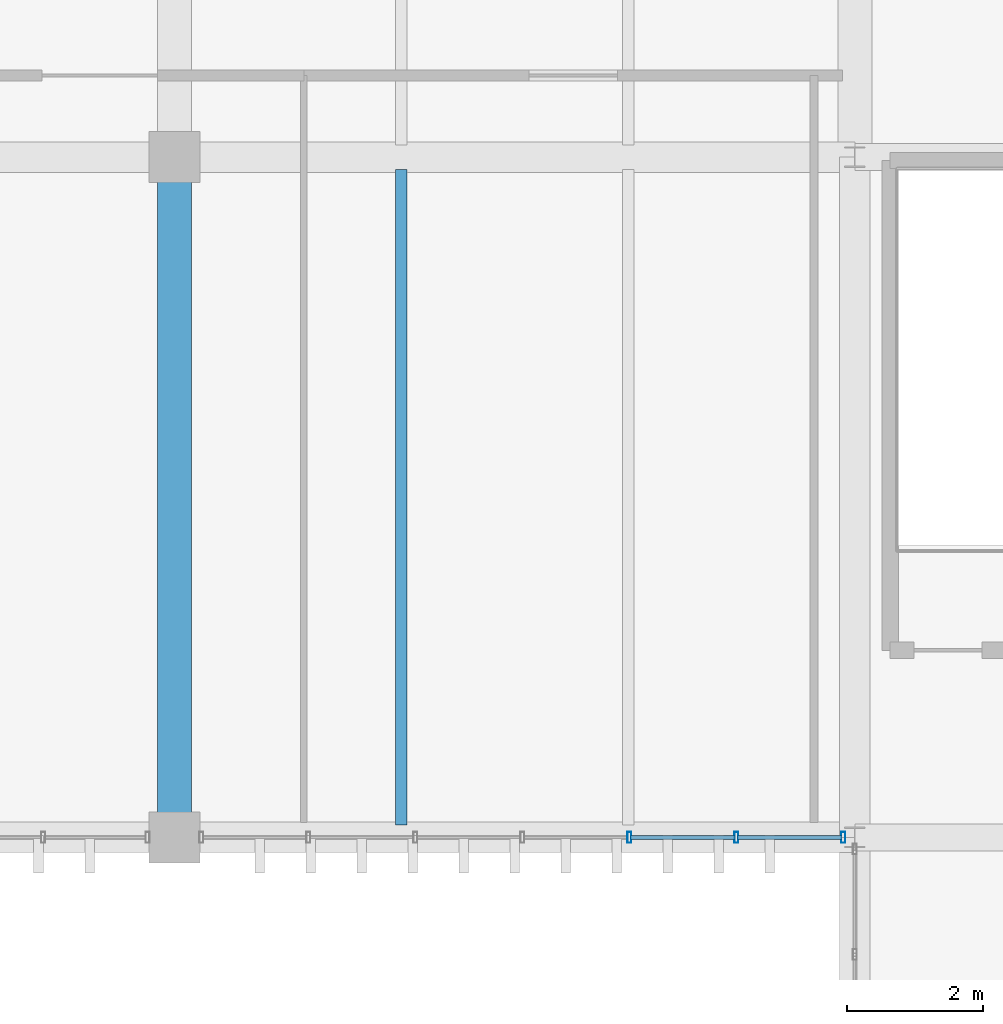
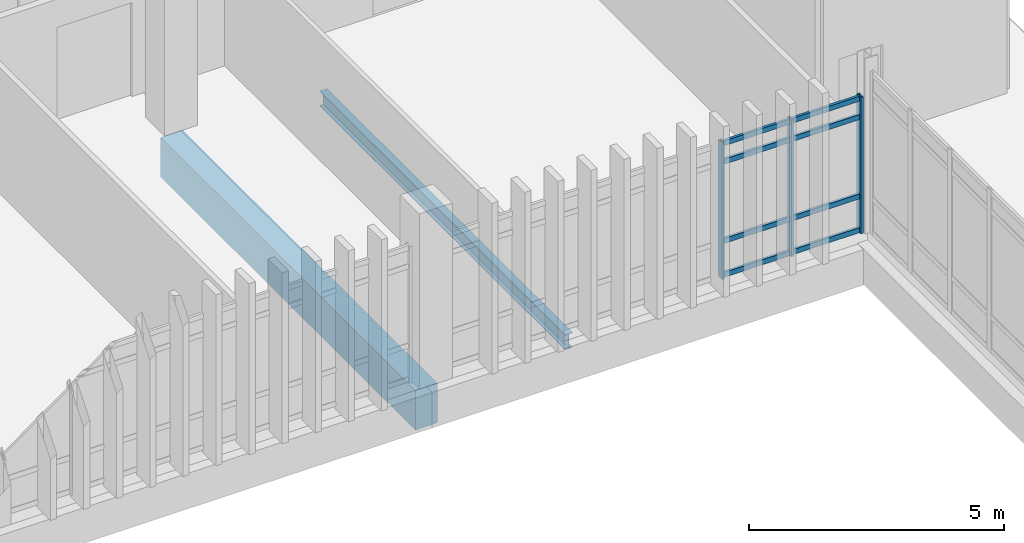
# One storey, part 88 of 161: 11 members, 2 beams, 1 element without a shape of its own.
"""IFC4 building model written with IfcOpenShell, lengths in metres."""

from ifc_helpers import new_model, si_unit, direction, frame, origin, origin_2d, place, context, subcontext, project, spatial, rectangle, hollow_rectangle, i_section, extrude, material, layer, layer_set, material_profile, profile_set, type_object, element, aggregate, save


model = new_model("IFC4")

# Units and contexts
model_context = context("Model", 3, precision=1e-05, world=origin(), true_north=direction((0.0, 1.0)))
body_context = subcontext(model_context, "Body", "Model", "MODEL_VIEW")
ifc_project = project(units=[si_unit("LENGTHUNIT", "METRE"), si_unit("AREAUNIT", "SQUARE_METRE"), si_unit("VOLUMEUNIT", "CUBIC_METRE"), si_unit("PLANEANGLEUNIT", "RADIAN"), si_unit("MASSUNIT", "GRAM", prefix="KILO")], contexts=[model_context])

# Site, building, storey
site_placement = place(None, origin())
site = spatial("IfcSite", under=ifc_project, at=site_placement, CompositionType="ELEMENT")
building_placement = place(site_placement, origin())
building = spatial("IfcBuilding", under=site, at=building_placement, Name="Mersad Railyard Sports Hall", CompositionType="ELEMENT")
storey_placement = place(building_placement, frame((0.0, 0.0, 4.800048828125)))
storey = spatial("IfcBuildingStorey", under=building, at=storey_placement, Name="L01", CompositionType="ELEMENT", Elevation=4.800048828125)

# Curtain wall, members
ifc_material_1 = material(Name="Aluminium 6063-T6", Category="aluminium")
ifc_layer = layer(ifc_material_1, 0.159912109375)
ifc_layer_set = layer_set([ifc_layer], Name="Aluminium 6063-T6")
curtain_wall_type = type_object("IfcCurtainWallType", Name="ARC-CW-CW39", PredefinedType="USERDEFINED", material=ifc_layer_set)
curtain_wall_placement = place(storey_placement, origin())
curtain_wall = element("IfcCurtainWall", 1, at=curtain_wall_placement, inside=storey, type_object=curtain_wall_type, Name="Curtain wall CW39-0111", ObjectType="CURTAIN WALL", PredefinedType="USERDEFINED")
ifc_material_profile_1 = material_profile(ifc_material_1, hollow_rectangle(XDim=0.06005859375, YDim=0.159912109375, WallThickness=0.00390625, at=origin_2d()), Name="AL MULLION 60x160x4")
ifc_profile_set_1 = profile_set([ifc_material_profile_1], Name="Aluminium 6063-T6")
member_type_1 = type_object("IfcMemberType", Name="ARC-CW-MUL01", PredefinedType="MULLION", material=ifc_profile_set_1)
member_1_placement = place(storey_placement, frame((130.830078125, 85.0, -0.02001953125), z_axis=(0.0, 0.0, 1.0), x_axis=(1.0, 0.0, 0.0)))
member_1 = element("IfcMember", 2, at=member_1_placement, type_object=member_type_1, Name="CW39 Mullion 1", PredefinedType="MULLION", context=body_context, shape_type="SweptSolid", body=[
    extrude(hollow_rectangle(XDim=0.06005859375, YDim=0.159912109375, WallThickness=0.00390625, at=origin_2d()), origin(), (0.0, 0.0, 1.0), 3.27001953125),
])
member_2_placement = place(storey_placement, frame((129.257568359375, 85.0, -0.02001953125), z_axis=(0.0, 0.0, 1.0), x_axis=(1.0, 0.0, 0.0)))
member_2 = element("IfcMember", 3, at=member_2_placement, type_object=member_type_1, Name="CW39 Mullion 2", PredefinedType="MULLION", context=body_context, shape_type="SweptSolid", body=[
    extrude(hollow_rectangle(XDim=0.06005859375, YDim=0.159912109375, WallThickness=0.00390625, at=origin_2d()), origin(), (0.0, 0.0, 1.0), 3.27001953125),
])
member_3_placement = place(storey_placement, frame((127.68505859375, 85.0, -0.02001953125), z_axis=(0.0, 0.0, 1.0), x_axis=(1.0, 0.0, 0.0)))
member_3 = element("IfcMember", 4, at=member_3_placement, type_object=member_type_1, Name="CW39 Mullion 3", PredefinedType="MULLION", context=body_context, shape_type="SweptSolid", body=[
    extrude(hollow_rectangle(XDim=0.06005859375, YDim=0.159912109375, WallThickness=0.00390625, at=origin_2d()), origin(), (0.0, 0.0, 1.0), 3.27001953125),
])
ifc_material_profile_2 = material_profile(ifc_material_1, hollow_rectangle(XDim=0.06005859375, YDim=0.1201171875, WallThickness=0.00390625, at=origin_2d()), Name="AL TRANSOM 60x120x4")
ifc_profile_set_2 = profile_set([ifc_material_profile_2], Name="Aluminium 6063-T6")
member_type_2 = type_object("IfcMemberType", Name="ARC-CW-TRN01", PredefinedType="USERDEFINED", material=ifc_profile_set_2)
member_4_placement = place(storey_placement, frame((130.81005859375, 85.0, 0.0400390625), z_axis=(-1.0, 0.0, 0.0), x_axis=(0.0, -1.0, 0.0)))
member_4 = element("IfcMember", 5, at=member_4_placement, type_object=member_type_2, Name="CW39 Transom 1-1", ObjectType="TRANSOM", PredefinedType="USERDEFINED", context=body_context, shape_type="SweptSolid", body=[
    extrude(hollow_rectangle(XDim=0.06005859375, YDim=0.1201171875, WallThickness=0.00390625, at=origin_2d()), origin(), (0.0, 0.0, 1.0), 1.532470703125),
])
member_5_placement = place(storey_placement, frame((129.237548828125, 85.0, 0.0400390625), z_axis=(-1.0, 0.0, 0.0), x_axis=(0.0, -1.0, 0.0)))
member_5 = element("IfcMember", 6, at=member_5_placement, type_object=member_type_2, Name="CW39 Transom 1-2", ObjectType="TRANSOM", PredefinedType="USERDEFINED", context=body_context, shape_type="SweptSolid", body=[
    extrude(hollow_rectangle(XDim=0.06005859375, YDim=0.1201171875, WallThickness=0.00390625, at=origin_2d()), origin(), (0.0, 0.0, 1.0), 1.532470703125),
])
member_6_placement = place(storey_placement, frame((130.81005859375, 85.0, 0.849853515625), z_axis=(-1.0, 0.0, 0.0), x_axis=(0.0, -1.0, 0.0)))
member_6 = element("IfcMember", 7, at=member_6_placement, type_object=member_type_2, Name="CW39 Transom 2-1", ObjectType="TRANSOM", PredefinedType="USERDEFINED", context=body_context, shape_type="SweptSolid", body=[
    extrude(hollow_rectangle(XDim=0.06005859375, YDim=0.1201171875, WallThickness=0.00390625, at=origin_2d()), origin(), (0.0, 0.0, 1.0), 1.532470703125),
])
member_7_placement = place(storey_placement, frame((129.237548828125, 85.0, 0.849853515625), z_axis=(-1.0, 0.0, 0.0), x_axis=(0.0, -1.0, 0.0)))
member_7 = element("IfcMember", 8, at=member_7_placement, type_object=member_type_2, Name="CW39 Transom 2-2", ObjectType="TRANSOM", PredefinedType="USERDEFINED", context=body_context, shape_type="SweptSolid", body=[
    extrude(hollow_rectangle(XDim=0.06005859375, YDim=0.1201171875, WallThickness=0.00390625, at=origin_2d()), origin(), (0.0, 0.0, 1.0), 1.532470703125),
])
member_8_placement = place(storey_placement, frame((130.81005859375, 85.0, 2.75), z_axis=(-1.0, 0.0, 0.0), x_axis=(0.0, -1.0, 0.0)))
member_8 = element("IfcMember", 9, at=member_8_placement, type_object=member_type_2, Name="CW39 Transom 3-1", ObjectType="TRANSOM", PredefinedType="USERDEFINED", context=body_context, shape_type="SweptSolid", body=[
    extrude(hollow_rectangle(XDim=0.06005859375, YDim=0.1201171875, WallThickness=0.00390625, at=origin_2d()), origin(), (0.0, 0.0, 1.0), 1.532470703125),
])
member_9_placement = place(storey_placement, frame((129.237548828125, 85.0, 2.75), z_axis=(-1.0, 0.0, 0.0), x_axis=(0.0, -1.0, 0.0)))
member_9 = element("IfcMember", 10, at=member_9_placement, type_object=member_type_2, Name="CW39 Transom 3-2", ObjectType="TRANSOM", PredefinedType="USERDEFINED", context=body_context, shape_type="SweptSolid", body=[
    extrude(hollow_rectangle(XDim=0.06005859375, YDim=0.1201171875, WallThickness=0.00390625, at=origin_2d()), origin(), (0.0, 0.0, 1.0), 1.532470703125),
])
member_10_placement = place(storey_placement, frame((130.81005859375, 85.0, 3.18994140625), z_axis=(-1.0, 0.0, 0.0), x_axis=(0.0, -1.0, 0.0)))
member_10 = element("IfcMember", 11, at=member_10_placement, type_object=member_type_2, Name="CW39 Transom 4-1", ObjectType="TRANSOM", PredefinedType="USERDEFINED", context=body_context, shape_type="SweptSolid", body=[
    extrude(hollow_rectangle(XDim=0.06005859375, YDim=0.1201171875, WallThickness=0.00390625, at=origin_2d()), origin(), (0.0, 0.0, 1.0), 1.532470703125),
])
member_11_placement = place(storey_placement, frame((129.237548828125, 85.0, 3.18994140625), z_axis=(-1.0, 0.0, 0.0), x_axis=(0.0, -1.0, 0.0)))
member_11 = element("IfcMember", 12, at=member_11_placement, type_object=member_type_2, Name="CW39 Transom 4-2", ObjectType="TRANSOM", PredefinedType="USERDEFINED", context=body_context, shape_type="SweptSolid", body=[
    extrude(hollow_rectangle(XDim=0.06005859375, YDim=0.1201171875, WallThickness=0.00390625, at=origin_2d()), origin(), (0.0, 0.0, 1.0), 1.532470703125),
])
aggregate(curtain_wall, [member_1, member_2, member_3, member_4, member_5, member_6, member_7, member_8, member_9, member_10, member_11])

# Beams
ifc_material_2 = material(Name="Concrete C50/60", Category="concrete")
ifc_material_profile_3 = material_profile(ifc_material_2, rectangle(XDim=0.5, YDim=0.949951171875, at=origin_2d()), Name="RC 500x950")
ifc_profile_set_3 = profile_set([ifc_material_profile_3], Name="Concrete C50/60")
beam_type_1 = type_object("IfcBeamType", Name="STR-BM-B03", PredefinedType="BEAM", material=ifc_profile_set_3)
beam_1_placement = place(storey_placement, frame((121.0, 85.0, -0.775146484375), z_axis=(0.0, 1.0, 0.0), x_axis=(-1.0, 0.0, 0.0)))
element("IfcBeam", 13, at=beam_1_placement, inside=storey, type_object=beam_type_1, Name="Beam B03-0977", PredefinedType="BEAM", context=body_context, shape_type="SweptSolid", body=[
    extrude(rectangle(XDim=0.5, YDim=0.949951171875, at=origin_2d()), origin(), (0.0, 0.0, 1.0), 10.0),
])
ifc_material_3 = material(Name="Steel S355", Category="steel")
ifc_material_profile_4 = material_profile(ifc_material_3, i_section(OverallWidth=0.169921875, OverallDepth=0.360107421875, WebThickness=0.008056640625, FlangeThickness=0.0126953125, at=origin_2d()), Name="IPE 360")
ifc_profile_set_4 = profile_set([ifc_material_profile_4], Name="Steel S355")
beam_type_2 = type_object("IfcBeamType", Name="STR-BM-J03", PredefinedType="JOIST", material=ifc_profile_set_4)
beam_2_placement = place(storey_placement, frame((124.3330078125, 85.179931640625, -0.47998046875), z_axis=(0.0, 1.0, 0.0), x_axis=(-1.0, 0.0, 0.0)))
element("IfcBeam", 14, at=beam_2_placement, inside=storey, type_object=beam_type_2, Name="Beam J03-1043", PredefinedType="JOIST", context=body_context, shape_type="SweptSolid", body=[
    extrude(i_section(OverallWidth=0.169921875, OverallDepth=0.360107421875, WebThickness=0.008056640625, FlangeThickness=0.0126953125, at=origin_2d()), origin(), (0.0, 0.0, 1.0), 9.64013671875),
])

save(model, "model.ifc")
